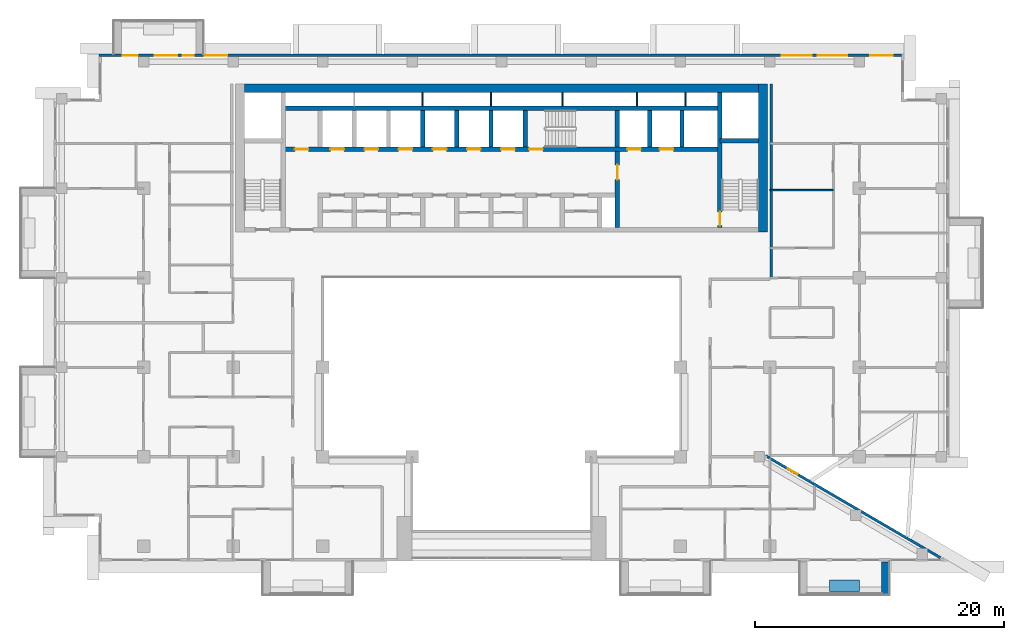
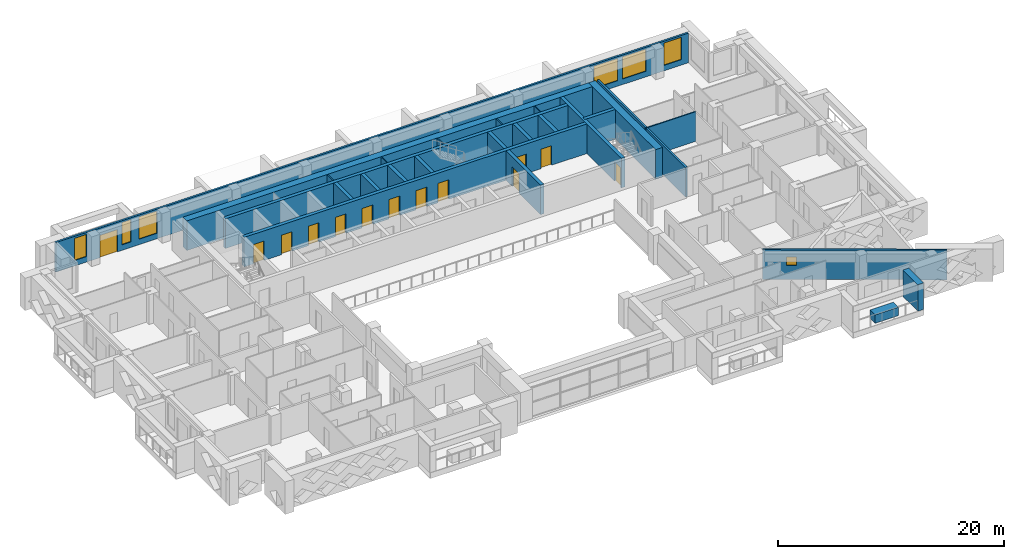
# One storey, part 11 of 20: 25 walls, 13 doors, 7 windows, 20 openings.
"""IFC4 building model written with IfcOpenShell, lengths in metres."""

from ifc_helpers import new_model, si_unit, direction, frame, frame_2d, origin, place, context, subcontext, project, spatial, rectangle, extrude, material, layer, layer_set, type_object, element, fill, save


model = new_model("IFC4")

# Units and contexts
model_context = context("Model", 3, precision=1e-05, world=origin(), true_north=direction((0.0, 1.0)))
body_context = subcontext(model_context, "Body", "Model", "MODEL_VIEW")
ifc_project = project(units=[si_unit("LENGTHUNIT", "METRE"), si_unit("AREAUNIT", "SQUARE_METRE"), si_unit("VOLUMEUNIT", "CUBIC_METRE"), si_unit("PLANEANGLEUNIT", "RADIAN"), si_unit("MASSUNIT", "GRAM", prefix="KILO")], contexts=[model_context])

# Site, building, storey
site_placement = place(None, origin())
site = spatial("IfcSite", under=ifc_project, at=site_placement, CompositionType="ELEMENT")
building_placement = place(site_placement, origin())
building = spatial("IfcBuilding", under=site, at=building_placement, Name="Saffron Iwan Residences", CompositionType="ELEMENT")
storey_placement = place(building_placement, frame((0.0, 0.0, 153.5)))
storey = spatial("IfcBuildingStorey", under=building, at=storey_placement, Name="L40", CompositionType="ELEMENT", Elevation=153.5)

# Walls
ifc_material_1 = material(Name="Concrete C50/60 white painted", Category="concrete")
ifc_layer_1 = layer(ifc_material_1, 0.60009765625)
ifc_layer_set_1 = layer_set([ifc_layer_1], Name="Concrete C50/60 white painted")
wall_type_1 = type_object("IfcWallType", Name="BALCONY FIN 600", PredefinedType="SOLIDWALL", material=ifc_layer_set_1)
wall_1_placement = place(storey_placement, frame((81.300048828125, 39.550048828125, 0.0), z_axis=(0.0, 0.0, 1.0), x_axis=(0.0, -1.0, 0.0)))
element("IfcWall", 1, at=wall_1_placement, inside=storey, type_object=wall_type_1, Name="Balcony fin L40 11-2b", PredefinedType="SOLIDWALL", context=body_context, shape_type="SweptSolid", body=[
    extrude(rectangle(XDim=2.650146484375, YDim=0.60009765625, at=frame_2d((1.3251953125, 0.0))), origin(), (0.0, 0.0, 1.0), 2.85009765625),
])
ifc_material_2 = material(Name="Concrete C35/45 white painted", Category="concrete")
ifc_layer_2 = layer(ifc_material_2, 0.14990234375)
ifc_layer_set_2 = layer_set([ifc_layer_2], Name="Concrete C35/45 white painted")
wall_type_2 = type_object("IfcWallType", Name="BALCONY PLANTER", PredefinedType="SOLIDWALL", material=ifc_layer_set_2)
wall_2_placement = place(storey_placement, frame((76.800048828125, 37.625, 0.0), z_axis=(0.0, 0.0, 1.0), x_axis=(1.0, 0.0, 0.0)))
element("IfcWall", 2, at=wall_2_placement, inside=storey, type_object=wall_type_2, Name="PLANTER L40 11-2", PredefinedType="SOLIDWALL", context=body_context, shape_type="SweptSolid", body=[
    extrude(rectangle(XDim=2.39990234375, YDim=0.89990234375, at=frame_2d((1.199951171875, 0.0))), origin(), (0.0, 0.0, 1.0), 0.89990234375),
])

# Wall, opening, window
ifc_material_3 = material(Name="Concrete C40/50", Category="concrete")
ifc_layer_3 = layer(ifc_material_3, 0.199951171875)
ifc_layer_set_3 = layer_set([ifc_layer_3], Name="Concrete C40/50")
wall_type_3 = type_object("IfcWallType", Name="EXTERNAL WALL 200", PredefinedType="SOLIDWALL", material=ifc_layer_set_3)
wall_3_placement = place(storey_placement, frame((85.71923828125, 39.88134765625, 0.0), z_axis=(0.0, 0.0, 1.0), x_axis=(-0.86377618652, 0.503875678716, 0.0)))
wall_3 = element("IfcWall", 3, at=wall_3_placement, inside=storey, type_object=wall_type_3, Name="External wall L40 F0.0", PredefinedType="SOLIDWALL", context=body_context, shape_type="SweptSolid", body=[
    extrude(rectangle(XDim=16.31103515625, YDim=0.199951171875, at=frame_2d((8.155517578125, 0.0))), origin(), (0.0, 0.0, 1.0), 3.199951171875),
])
opening_1_placement = place(wall_3_placement, frame((13.32568359375, 0.0, 1.5)))
opening_1 = element("IfcOpeningElement", 4, at=opening_1_placement, cuts=wall_3, Name="Opening W6", PredefinedType="OPENING", context=body_context, shape_type="SweptSolid", body=[
    extrude(rectangle(XDim=0.89990234375, YDim=0.89990234375, at=frame_2d((0.449951171875, 0.449951171875))), frame((0.0, 0.10986328125, 0.0), z_axis=(0.0, -1.0, 0.0), x_axis=(1.0, 0.0, 0.0)), (0.0, 0.0, 1.0), 0.219970703125),
])
ifc_material_4 = material(Name="Clear glass, laminated double glazed", Category="glass")
window_type_1 = type_object("IfcWindowType", Name="WINDOW 900 x 900 BATH", PartitioningType="SINGLE_PANEL", PredefinedType="WINDOW", material=ifc_material_4)
window_1_placement = place(opening_1_placement, origin())
window_1 = element("IfcWindow", 5, at=window_1_placement, inside=storey, type_object=window_type_1, Name="Window L40 F0.0", OverallHeight=0.89990234375, OverallWidth=0.89990234375, PartitioningType="SINGLE_PANEL", PredefinedType="WINDOW", context=body_context, shape_type="SweptSolid", body=[
    extrude(rectangle(XDim=0.89990234375, YDim=0.89990234375, at=frame_2d((0.449951171875, 0.449951171875))), frame((0.0, 0.030029296875, 0.0), z_axis=(0.0, -1.0, 0.0), x_axis=(1.0, 0.0, 0.0)), (0.0, 0.0, 1.0), 0.06005859375),
])
fill(opening_1, window_1)

# Wall, openings, door, windows
wall_4_placement = place(storey_placement, frame((82.60009765625, 80.300048828125, 0.0), z_axis=(0.0, 0.0, 1.0), x_axis=(-1.0, 0.0, 0.0)))
wall_4 = element("IfcWall", 6, at=wall_4_placement, inside=storey, type_object=wall_type_3, Name="External wall L40 F5.0", PredefinedType="SOLIDWALL", context=body_context, shape_type="SweptSolid", body=[
    extrude(rectangle(XDim=64.60009765625, YDim=0.199951171875, at=frame_2d((32.300048828125, 0.0))), origin(), (0.0, 0.0, 1.0), 3.199951171875),
])
opening_2_placement = place(wall_4_placement, frame((58.300048828125, 0.0, 0.0)))
opening_2 = element("IfcOpeningElement", 7, at=opening_2_placement, cuts=wall_4, Name="Opening BD1", PredefinedType="OPENING", context=body_context, shape_type="SweptSolid", body=[
    extrude(rectangle(XDim=1.800048828125, YDim=2.39990234375, at=frame_2d((0.89990234375, 1.199951171875))), frame((0.0, 0.10986328125, 0.0), z_axis=(0.0, -1.0, 0.0), x_axis=(1.0, 0.0, 0.0)), (0.0, 0.0, 1.0), 0.219970703125),
])
opening_3_placement = place(wall_4_placement, frame((54.28759765625, 0.0, 0.60009765625)))
opening_3 = element("IfcOpeningElement", 8, at=opening_3_placement, cuts=wall_4, Name="Opening W8", PredefinedType="OPENING", context=body_context, shape_type="SweptSolid", body=[
    extrude(rectangle(XDim=1.800048828125, YDim=2.39990234375, at=frame_2d((0.89990234375, 1.199951171875))), frame((0.0, 0.10986328125, 0.0), z_axis=(0.0, -1.0, 0.0), x_axis=(1.0, 0.0, 0.0)), (0.0, 0.0, 1.0), 0.219970703125),
])
opening_4_placement = place(wall_4_placement, frame((56.949951171875, 0.0, 0.60009765625)))
opening_4 = element("IfcOpeningElement", 9, at=opening_4_placement, cuts=wall_4, Name="Opening W10", PredefinedType="OPENING", context=body_context, shape_type="SweptSolid", body=[
    extrude(rectangle(XDim=0.89990234375, YDim=2.39990234375, at=frame_2d((0.449951171875, 1.199951171875))), frame((0.0, 0.10986328125, 0.0), z_axis=(0.0, -1.0, 0.0), x_axis=(1.0, 0.0, 0.0)), (0.0, 0.0, 1.0), 0.219970703125),
])
opening_5_placement = place(wall_4_placement, frame((61.487548828125, 0.0, 0.60009765625)))
opening_5 = element("IfcOpeningElement", 10, at=opening_5_placement, cuts=wall_4, Name="Opening W3", PredefinedType="OPENING", context=body_context, shape_type="SweptSolid", body=[
    extrude(rectangle(XDim=1.199951171875, YDim=2.39990234375, at=frame_2d((0.60009765625, 1.199951171875))), frame((0.0, 0.10986328125, 0.0), z_axis=(0.0, -1.0, 0.0), x_axis=(1.0, 0.0, 0.0)), (0.0, 0.0, 1.0), 0.219970703125),
])
opening_6_placement = place(wall_4_placement, frame((0.71240234375, 0.0, 0.60009765625)))
opening_6 = element("IfcOpeningElement", 11, at=opening_6_placement, cuts=wall_4, Name="Opening W8", PredefinedType="OPENING", context=body_context, shape_type="SweptSolid", body=[
    extrude(rectangle(XDim=1.800048828125, YDim=2.39990234375, at=frame_2d((0.89990234375, 1.199951171875))), frame((0.0, 0.10986328125, 0.0), z_axis=(0.0, -1.0, 0.0), x_axis=(1.0, 0.0, 0.0)), (0.0, 0.0, 1.0), 0.219970703125),
])
opening_7_placement = place(wall_4_placement, frame((4.3583984375, 0.0, 0.60009765625)))
opening_7 = element("IfcOpeningElement", 12, at=opening_7_placement, cuts=wall_4, Name="Opening W1", PredefinedType="OPENING", context=body_context, shape_type="SweptSolid", body=[
    extrude(rectangle(XDim=2.39990234375, YDim=2.39990234375, at=frame_2d((1.199951171875, 1.199951171875))), frame((0.0, 0.10986328125, 0.0), z_axis=(0.0, -1.0, 0.0), x_axis=(1.0, 0.0, 0.0)), (0.0, 0.0, 1.0), 0.219970703125),
])
opening_8_placement = place(wall_4_placement, frame((7.24169921875, 0.0, 0.60009765625)))
opening_8 = element("IfcOpeningElement", 13, at=opening_8_placement, cuts=wall_4, Name="Opening W1", PredefinedType="OPENING", context=body_context, shape_type="SweptSolid", body=[
    extrude(rectangle(XDim=2.39990234375, YDim=2.39990234375, at=frame_2d((1.199951171875, 1.199951171875))), frame((0.0, 0.10986328125, 0.0), z_axis=(0.0, -1.0, 0.0), x_axis=(1.0, 0.0, 0.0)), (0.0, 0.0, 1.0), 0.219970703125),
])
door_type_1 = type_object("IfcDoorType", Name="BALCONY DOOR 1800 x 2400", OperationType="DOUBLE_DOOR_SLIDING", PredefinedType="DOOR", material=ifc_material_4)
door_1_placement = place(opening_2_placement, origin())
door_1 = element("IfcDoor", 14, at=door_1_placement, inside=storey, type_object=door_type_1, Name="Balcony door L40 F5.0", OperationType="DOUBLE_DOOR_SLIDING", OverallHeight=2.39990234375, OverallWidth=1.800048828125, PredefinedType="DOOR", context=body_context, shape_type="SweptSolid", body=[
    extrude(rectangle(XDim=1.800048828125, YDim=2.39990234375, at=frame_2d((0.89990234375, 1.199951171875))), frame((0.0, 0.02490234375, 0.0), z_axis=(0.0, -1.0, 0.0), x_axis=(1.0, 0.0, 0.0)), (0.0, 0.0, 1.0), 0.050048828125),
])
fill(opening_2, door_1)
window_type_2 = type_object("IfcWindowType", Name="WINDOW 1200 x 2400", PartitioningType="SINGLE_PANEL", PredefinedType="WINDOW", material=ifc_material_4)
window_2_placement = place(opening_5_placement, origin())
window_2 = element("IfcWindow", 15, at=window_2_placement, inside=storey, type_object=window_type_2, Name="Window L40 F5.3", OverallHeight=2.39990234375, OverallWidth=1.199951171875, PartitioningType="SINGLE_PANEL", PredefinedType="WINDOW", context=body_context, shape_type="SweptSolid", body=[
    extrude(rectangle(XDim=1.199951171875, YDim=2.39990234375, at=frame_2d((0.60009765625, 1.199951171875))), frame((0.0, 0.030029296875, 0.0), z_axis=(0.0, -1.0, 0.0), x_axis=(1.0, 0.0, 0.0)), (0.0, 0.0, 1.0), 0.06005859375),
])
fill(opening_5, window_2)
window_type_3 = type_object("IfcWindowType", Name="WINDOW 1800 x 2400", PartitioningType="DOUBLE_PANEL_VERTICAL", PredefinedType="WINDOW", material=ifc_material_4)
window_3_placement = place(opening_3_placement, origin())
window_3 = element("IfcWindow", 16, at=window_3_placement, inside=storey, type_object=window_type_3, Name="Window L40 F5.1", OverallHeight=2.39990234375, OverallWidth=1.800048828125, PartitioningType="DOUBLE_PANEL_VERTICAL", PredefinedType="WINDOW", context=body_context, shape_type="SweptSolid", body=[
    extrude(rectangle(XDim=1.800048828125, YDim=2.39990234375, at=frame_2d((0.89990234375, 1.199951171875))), frame((0.0, 0.030029296875, 0.0), z_axis=(0.0, -1.0, 0.0), x_axis=(1.0, 0.0, 0.0)), (0.0, 0.0, 1.0), 0.06005859375),
])
fill(opening_3, window_3)
window_4_placement = place(opening_6_placement, origin())
window_4 = element("IfcWindow", 17, at=window_4_placement, inside=storey, type_object=window_type_3, Name="Window L40 F5.4", OverallHeight=2.39990234375, OverallWidth=1.800048828125, PartitioningType="DOUBLE_PANEL_VERTICAL", PredefinedType="WINDOW", context=body_context, shape_type="SweptSolid", body=[
    extrude(rectangle(XDim=1.800048828125, YDim=2.39990234375, at=frame_2d((0.89990234375, 1.199951171875))), frame((0.0, 0.030029296875, 0.0), z_axis=(0.0, -1.0, 0.0), x_axis=(1.0, 0.0, 0.0)), (0.0, 0.0, 1.0), 0.06005859375),
])
fill(opening_6, window_4)
window_type_4 = type_object("IfcWindowType", Name="WINDOW 2400 x 2400", PartitioningType="DOUBLE_PANEL_VERTICAL", PredefinedType="WINDOW", material=ifc_material_4)
window_5_placement = place(opening_7_placement, origin())
window_5 = element("IfcWindow", 18, at=window_5_placement, inside=storey, type_object=window_type_4, Name="Window L40 F5.5", OverallHeight=2.39990234375, OverallWidth=2.39990234375, PartitioningType="DOUBLE_PANEL_VERTICAL", PredefinedType="WINDOW", context=body_context, shape_type="SweptSolid", body=[
    extrude(rectangle(XDim=2.39990234375, YDim=2.39990234375, at=frame_2d((1.199951171875, 1.199951171875))), frame((0.0, 0.030029296875, 0.0), z_axis=(0.0, -1.0, 0.0), x_axis=(1.0, 0.0, 0.0)), (0.0, 0.0, 1.0), 0.06005859375),
])
fill(opening_7, window_5)
window_6_placement = place(opening_8_placement, origin())
window_6 = element("IfcWindow", 19, at=window_6_placement, inside=storey, type_object=window_type_4, Name="Window L40 F5.6", OverallHeight=2.39990234375, OverallWidth=2.39990234375, PartitioningType="DOUBLE_PANEL_VERTICAL", PredefinedType="WINDOW", context=body_context, shape_type="SweptSolid", body=[
    extrude(rectangle(XDim=2.39990234375, YDim=2.39990234375, at=frame_2d((1.199951171875, 1.199951171875))), frame((0.0, 0.030029296875, 0.0), z_axis=(0.0, -1.0, 0.0), x_axis=(1.0, 0.0, 0.0)), (0.0, 0.0, 1.0), 0.06005859375),
])
fill(opening_8, window_6)
window_type_5 = type_object("IfcWindowType", Name="WINDOW 900 x 2400", PartitioningType="SINGLE_PANEL", PredefinedType="WINDOW", material=ifc_material_4)
window_7_placement = place(opening_4_placement, origin())
window_7 = element("IfcWindow", 20, at=window_7_placement, inside=storey, type_object=window_type_5, Name="Window L40 F5.2", OverallHeight=2.39990234375, OverallWidth=0.89990234375, PartitioningType="SINGLE_PANEL", PredefinedType="WINDOW", context=body_context, shape_type="SweptSolid", body=[
    extrude(rectangle(XDim=0.89990234375, YDim=2.39990234375, at=frame_2d((0.449951171875, 1.199951171875))), frame((0.0, 0.030029296875, 0.0), z_axis=(0.0, -1.0, 0.0), x_axis=(1.0, 0.0, 0.0)), (0.0, 0.0, 1.0), 0.06005859375),
])
fill(opening_4, window_7)

# Walls
ifc_material_5 = material(Name="Gypsum board partition")
ifc_layer_4 = layer(ifc_material_5, 0.1201171875)
ifc_layer_set_4 = layer_set([ifc_layer_4], Name="Gypsum board partition")
wall_type_4 = type_object("IfcWallType", Name="Flat partition 120", PredefinedType="PARTITIONING", material=ifc_layer_set_4)
wall_5_placement = place(storey_placement, frame((72.0, 69.449951171875, 0.0), z_axis=(0.0, 0.0, 1.0), x_axis=(1.0, 0.0, 0.0)))
element("IfcWall", 21, at=wall_5_placement, inside=storey, type_object=wall_type_4, Name="W-L40-PART-h69.45-72", PredefinedType="PARTITIONING", context=body_context, shape_type="SweptSolid", body=[
    extrude(rectangle(XDim=5.10009765625, YDim=0.1201171875, at=frame_2d((2.550048828125, 0.0))), origin(), (0.0, 0.0, 1.0), 3.199951171875),
])
ifc_material_6 = material(Name="Fire-rated gypsum board wall")
ifc_layer_5 = layer(ifc_material_6, 0.199951171875)
ifc_layer_set_5 = layer_set([ifc_layer_5], Name="Fire-rated gypsum board wall")
wall_type_5 = type_object("IfcWallType", Name="Gallery wall 200", PredefinedType="SOLIDWALL", material=ifc_layer_set_5)
wall_6_placement = place(storey_placement, frame((72.10009765625, 62.39990234375, 0.0), z_axis=(0.0, 0.0, 1.0), x_axis=(0.0, 1.0, 0.0)))
element("IfcWall", 22, at=wall_6_placement, inside=storey, type_object=wall_type_5, Name="W-L40-CORR-v72-62.4", PredefinedType="SOLIDWALL", context=body_context, shape_type="SweptSolid", body=[
    extrude(rectangle(XDim=15.60009765625, YDim=0.199951171875, at=frame_2d((7.800048828125, 0.0))), origin(), (0.0, 0.0, 1.0), 3.199951171875),
])
ifc_material_7 = material(Name="Fire-rated plasterboard partition")
ifc_layer_6 = layer(ifc_material_7, 0.10009765625)
ifc_layer_set_6 = layer_set([ifc_layer_6], Name="Fire-rated plasterboard partition")
wall_type_6 = type_object("IfcWallType", Name="Riser partition 100", PredefinedType="PARTITIONING", material=ifc_layer_set_6)
for number, where, z_axis, x_axis, name in (
    (23, (44.050048828125, 76.22509765625, 0.0), (0.0, 0.0, 1.0), (0.0, 1.0, 0.0), "Core partition P08"),
    (24, (49.550048828125, 76.22509765625, 0.0), (0.0, 0.0, 1.0), (0.0, 1.0, 0.0), "Core partition P09"),
    (25, (55.300048828125, 76.22509765625, 0.0), (0.0, 0.0, 1.0), (0.0, 1.0, 0.0), "Core partition P10"),
    (26, (61.300048828125, 76.22509765625, 0.0), (0.0, 0.0, 1.0), (0.0, 1.0, 0.0), "Core partition P11"),
    (27, (65.199951171875, 76.22509765625, 0.0), (0.0, 0.0, 1.0), (0.0, 1.0, 0.0), "Core partition P12"),
):
    element("IfcWall", number, at=place(storey_placement, frame(where, z_axis=z_axis, x_axis=x_axis)), inside=storey, type_object=wall_type_6, Name=name, PredefinedType="PARTITIONING", context=body_context, shape_type="SweptSolid", body=[
        extrude(rectangle(XDim=1.074951171875, YDim=0.10009765625, at=frame_2d((0.53759765625, 0.0))), origin(), (0.0, 0.0, 1.0), 3.199951171875),
    ])

# Wall, openings, doors
ifc_material_8 = material(Name="Concrete C50/60", Category="concrete")
ifc_layer_7 = layer(ifc_material_8, 0.35009765625)
ifc_layer_set_7 = layer_set([ifc_layer_7], Name="Concrete C50/60")
wall_type_7 = type_object("IfcWallType", Name="WALL CORE 350 C50/60 3200 HIGH", PredefinedType="SHEAR", material=ifc_layer_set_7)
wall_7_placement = place(storey_placement, frame((32.824951171875, 72.75, 0.0), z_axis=(0.0, 0.0, 1.0), x_axis=(1.0, 0.0, 0.0)))
wall_7 = element("IfcWall", 28, at=wall_7_placement, inside=storey, type_object=wall_type_7, Name="Core wall", PredefinedType="SHEAR", context=body_context, shape_type="SweptSolid", body=[
    extrude(rectangle(XDim=35.150146484375, YDim=0.35009765625, at=frame_2d((17.5751953125, 0.0))), origin(), (0.0, 0.0, 1.0), 3.199951171875),
])
opening_9_placement = place(wall_7_placement, frame((19.800048828125, 0.0, 0.0)))
opening_9 = element("IfcOpeningElement", 29, at=opening_9_placement, cuts=wall_7, Name="Opening SD", PredefinedType="OPENING", context=body_context, shape_type="SweptSolid", body=[
    extrude(rectangle(XDim=1.10009765625, YDim=2.10009765625, at=frame_2d((0.550048828125, 1.050048828125))), frame((0.0, 0.18505859375, 0.0), z_axis=(0.0, -1.0, 0.0), x_axis=(1.0, 0.0, 0.0)), (0.0, 0.0, 1.0), 0.3701171875),
])
opening_10_placement = place(wall_7_placement, frame((27.699951171875, 0.0, 0.0)))
opening_10 = element("IfcOpeningElement", 30, at=opening_10_placement, cuts=wall_7, Name="Opening LD", PredefinedType="OPENING", context=body_context, shape_type="SweptSolid", body=[
    extrude(rectangle(XDim=1.10009765625, YDim=2.10009765625, at=frame_2d((0.550048828125, 1.050048828125))), frame((0.0, 0.18505859375, 0.0), z_axis=(0.0, -1.0, 0.0), x_axis=(1.0, 0.0, 0.0)), (0.0, 0.0, 1.0), 0.3701171875),
])
opening_11_placement = place(wall_7_placement, frame((30.300048828125, 0.0, 0.0)))
opening_11 = element("IfcOpeningElement", 31, at=opening_11_placement, cuts=wall_7, Name="Opening LD", PredefinedType="OPENING", context=body_context, shape_type="SweptSolid", body=[
    extrude(rectangle(XDim=1.10009765625, YDim=2.10009765625, at=frame_2d((0.550048828125, 1.050048828125))), frame((0.0, 0.18505859375, 0.0), z_axis=(0.0, -1.0, 0.0), x_axis=(1.0, 0.0, 0.0)), (0.0, 0.0, 1.0), 0.3701171875),
])
opening_12_placement = place(wall_7_placement, frame((3.800048828125, 0.0, 0.0)))
opening_12 = element("IfcOpeningElement", 32, at=opening_12_placement, cuts=wall_7, Name="Opening LD", PredefinedType="OPENING", context=body_context, shape_type="SweptSolid", body=[
    extrude(rectangle(XDim=1.10009765625, YDim=2.10009765625, at=frame_2d((0.550048828125, 1.050048828125))), frame((0.0, 0.18505859375, 0.0), z_axis=(0.0, -1.0, 0.0), x_axis=(1.0, 0.0, 0.0)), (0.0, 0.0, 1.0), 0.3701171875),
])
opening_13_placement = place(wall_7_placement, frame((6.550048828125, 0.0, 0.0)))
opening_13 = element("IfcOpeningElement", 33, at=opening_13_placement, cuts=wall_7, Name="Opening LD", PredefinedType="OPENING", context=body_context, shape_type="SweptSolid", body=[
    extrude(rectangle(XDim=1.10009765625, YDim=2.10009765625, at=frame_2d((0.550048828125, 1.050048828125))), frame((0.0, 0.18505859375, 0.0), z_axis=(0.0, -1.0, 0.0), x_axis=(1.0, 0.0, 0.0)), (0.0, 0.0, 1.0), 0.3701171875),
])
opening_14_placement = place(wall_7_placement, frame((9.300048828125, 0.0, 0.0)))
opening_14 = element("IfcOpeningElement", 34, at=opening_14_placement, cuts=wall_7, Name="Opening LD", PredefinedType="OPENING", context=body_context, shape_type="SweptSolid", body=[
    extrude(rectangle(XDim=1.10009765625, YDim=2.10009765625, at=frame_2d((0.550048828125, 1.050048828125))), frame((0.0, 0.18505859375, 0.0), z_axis=(0.0, -1.0, 0.0), x_axis=(1.0, 0.0, 0.0)), (0.0, 0.0, 1.0), 0.3701171875),
])
opening_15_placement = place(wall_7_placement, frame((12.050048828125, 0.0, 0.0)))
opening_15 = element("IfcOpeningElement", 35, at=opening_15_placement, cuts=wall_7, Name="Opening LD", PredefinedType="OPENING", context=body_context, shape_type="SweptSolid", body=[
    extrude(rectangle(XDim=1.10009765625, YDim=2.10009765625, at=frame_2d((0.550048828125, 1.050048828125))), frame((0.0, 0.18505859375, 0.0), z_axis=(0.0, -1.0, 0.0), x_axis=(1.0, 0.0, 0.0)), (0.0, 0.0, 1.0), 0.3701171875),
])
opening_16_placement = place(wall_7_placement, frame((14.800048828125, 0.0, 0.0)))
opening_16 = element("IfcOpeningElement", 36, at=opening_16_placement, cuts=wall_7, Name="Opening LD", PredefinedType="OPENING", context=body_context, shape_type="SweptSolid", body=[
    extrude(rectangle(XDim=1.10009765625, YDim=2.10009765625, at=frame_2d((0.550048828125, 1.050048828125))), frame((0.0, 0.18505859375, 0.0), z_axis=(0.0, -1.0, 0.0), x_axis=(1.0, 0.0, 0.0)), (0.0, 0.0, 1.0), 0.3701171875),
])
opening_17_placement = place(wall_7_placement, frame((17.550048828125, 0.0, 0.0)))
opening_17 = element("IfcOpeningElement", 37, at=opening_17_placement, cuts=wall_7, Name="Opening LD", PredefinedType="OPENING", context=body_context, shape_type="SweptSolid", body=[
    extrude(rectangle(XDim=1.10009765625, YDim=2.10009765625, at=frame_2d((0.550048828125, 1.050048828125))), frame((0.0, 0.18505859375, 0.0), z_axis=(0.0, -1.0, 0.0), x_axis=(1.0, 0.0, 0.0)), (0.0, 0.0, 1.0), 0.3701171875),
])
opening_18_placement = place(wall_7_placement, frame((0.9375, 0.0, 0.0)))
opening_18 = element("IfcOpeningElement", 38, at=opening_18_placement, cuts=wall_7, Name="Opening SR", PredefinedType="OPENING", context=body_context, shape_type="SweptSolid", body=[
    extrude(rectangle(XDim=1.10009765625, YDim=2.10009765625, at=frame_2d((0.550048828125, 1.050048828125))), frame((0.0, 0.18505859375, 0.0), z_axis=(0.0, -1.0, 0.0), x_axis=(1.0, 0.0, 0.0)), (0.0, 0.0, 1.0), 0.3701171875),
])
ifc_material_9 = material(Name="Steel fire door", Category="steel")
door_type_2 = type_object("IfcDoorType", Name="Lift landing door 1100", OperationType="SLIDING_TO_LEFT", PredefinedType="DOOR", material=ifc_material_9)
door_2_placement = place(opening_10_placement, origin())
door_2 = element("IfcDoor", 39, at=door_2_placement, inside=storey, type_object=door_type_2, Name="Landing doors FF1", OperationType="SLIDING_TO_LEFT", OverallHeight=2.10009765625, OverallWidth=1.10009765625, PredefinedType="DOOR", context=body_context, shape_type="SweptSolid", body=[
    extrude(rectangle(XDim=1.10009765625, YDim=2.10009765625, at=frame_2d((0.550048828125, 1.050048828125))), frame((0.0, 0.02490234375, 0.0), z_axis=(0.0, -1.0, 0.0), x_axis=(1.0, 0.0, 0.0)), (0.0, 0.0, 1.0), 0.050048828125),
])
fill(opening_10, door_2)
door_3_placement = place(opening_11_placement, origin())
door_3 = element("IfcDoor", 40, at=door_3_placement, inside=storey, type_object=door_type_2, Name="Landing doors FF2", OperationType="SLIDING_TO_LEFT", OverallHeight=2.10009765625, OverallWidth=1.10009765625, PredefinedType="DOOR", context=body_context, shape_type="SweptSolid", body=[
    extrude(rectangle(XDim=1.10009765625, YDim=2.10009765625, at=frame_2d((0.550048828125, 1.050048828125))), frame((0.0, 0.02490234375, 0.0), z_axis=(0.0, -1.0, 0.0), x_axis=(1.0, 0.0, 0.0)), (0.0, 0.0, 1.0), 0.050048828125),
])
fill(opening_11, door_3)
door_4_placement = place(opening_12_placement, origin())
door_4 = element("IfcDoor", 41, at=door_4_placement, inside=storey, type_object=door_type_2, Name="Landing doors HR1", OperationType="SLIDING_TO_LEFT", OverallHeight=2.10009765625, OverallWidth=1.10009765625, PredefinedType="DOOR", context=body_context, shape_type="SweptSolid", body=[
    extrude(rectangle(XDim=1.10009765625, YDim=2.10009765625, at=frame_2d((0.550048828125, 1.050048828125))), frame((0.0, 0.02490234375, 0.0), z_axis=(0.0, -1.0, 0.0), x_axis=(1.0, 0.0, 0.0)), (0.0, 0.0, 1.0), 0.050048828125),
])
fill(opening_12, door_4)
door_5_placement = place(opening_13_placement, origin())
door_5 = element("IfcDoor", 42, at=door_5_placement, inside=storey, type_object=door_type_2, Name="Landing doors HR2", OperationType="SLIDING_TO_LEFT", OverallHeight=2.10009765625, OverallWidth=1.10009765625, PredefinedType="DOOR", context=body_context, shape_type="SweptSolid", body=[
    extrude(rectangle(XDim=1.10009765625, YDim=2.10009765625, at=frame_2d((0.550048828125, 1.050048828125))), frame((0.0, 0.02490234375, 0.0), z_axis=(0.0, -1.0, 0.0), x_axis=(1.0, 0.0, 0.0)), (0.0, 0.0, 1.0), 0.050048828125),
])
fill(opening_13, door_5)
door_6_placement = place(opening_14_placement, origin())
door_6 = element("IfcDoor", 43, at=door_6_placement, inside=storey, type_object=door_type_2, Name="Landing doors HR3", OperationType="SLIDING_TO_LEFT", OverallHeight=2.10009765625, OverallWidth=1.10009765625, PredefinedType="DOOR", context=body_context, shape_type="SweptSolid", body=[
    extrude(rectangle(XDim=1.10009765625, YDim=2.10009765625, at=frame_2d((0.550048828125, 1.050048828125))), frame((0.0, 0.02490234375, 0.0), z_axis=(0.0, -1.0, 0.0), x_axis=(1.0, 0.0, 0.0)), (0.0, 0.0, 1.0), 0.050048828125),
])
fill(opening_14, door_6)
door_7_placement = place(opening_15_placement, origin())
door_7 = element("IfcDoor", 44, at=door_7_placement, inside=storey, type_object=door_type_2, Name="Landing doors HR4", OperationType="SLIDING_TO_LEFT", OverallHeight=2.10009765625, OverallWidth=1.10009765625, PredefinedType="DOOR", context=body_context, shape_type="SweptSolid", body=[
    extrude(rectangle(XDim=1.10009765625, YDim=2.10009765625, at=frame_2d((0.550048828125, 1.050048828125))), frame((0.0, 0.02490234375, 0.0), z_axis=(0.0, -1.0, 0.0), x_axis=(1.0, 0.0, 0.0)), (0.0, 0.0, 1.0), 0.050048828125),
])
fill(opening_15, door_7)
door_8_placement = place(opening_16_placement, origin())
door_8 = element("IfcDoor", 45, at=door_8_placement, inside=storey, type_object=door_type_2, Name="Landing doors HR5", OperationType="SLIDING_TO_LEFT", OverallHeight=2.10009765625, OverallWidth=1.10009765625, PredefinedType="DOOR", context=body_context, shape_type="SweptSolid", body=[
    extrude(rectangle(XDim=1.10009765625, YDim=2.10009765625, at=frame_2d((0.550048828125, 1.050048828125))), frame((0.0, 0.02490234375, 0.0), z_axis=(0.0, -1.0, 0.0), x_axis=(1.0, 0.0, 0.0)), (0.0, 0.0, 1.0), 0.050048828125),
])
fill(opening_16, door_8)
door_9_placement = place(opening_17_placement, origin())
door_9 = element("IfcDoor", 46, at=door_9_placement, inside=storey, type_object=door_type_2, Name="Landing doors HR6", OperationType="SLIDING_TO_LEFT", OverallHeight=2.10009765625, OverallWidth=1.10009765625, PredefinedType="DOOR", context=body_context, shape_type="SweptSolid", body=[
    extrude(rectangle(XDim=1.10009765625, YDim=2.10009765625, at=frame_2d((0.550048828125, 1.050048828125))), frame((0.0, 0.02490234375, 0.0), z_axis=(0.0, -1.0, 0.0), x_axis=(1.0, 0.0, 0.0)), (0.0, 0.0, 1.0), 0.050048828125),
])
fill(opening_17, door_9)
door_type_3 = type_object("IfcDoorType", Name="Service door 1100", OperationType="NOTDEFINED", PredefinedType="DOOR", material=ifc_material_9)
door_10_placement = place(opening_18_placement, origin())
door_10 = element("IfcDoor", 47, at=door_10_placement, inside=storey, type_object=door_type_3, Name="Door Service room", OperationType="SINGLE_SWING_LEFT", OverallHeight=2.10009765625, OverallWidth=1.10009765625, PredefinedType="DOOR", context=body_context, shape_type="SweptSolid", body=[
    extrude(rectangle(XDim=1.10009765625, YDim=2.10009765625, at=frame_2d((0.550048828125, 1.050048828125))), frame((0.0, 0.02490234375, 0.0), z_axis=(0.0, -1.0, 0.0), x_axis=(1.0, 0.0, 0.0)), (0.0, 0.0, 1.0), 0.050048828125),
])
fill(opening_18, door_10)
door_type_4 = type_object("IfcDoorType", Name="Stair door 1100", OperationType="NOTDEFINED", PredefinedType="DOOR", material=ifc_material_9)
door_11_placement = place(opening_9_placement, origin())
door_11 = element("IfcDoor", 48, at=door_11_placement, inside=storey, type_object=door_type_4, Name="Stair door ST-C", OperationType="SINGLE_SWING_LEFT", OverallHeight=2.10009765625, OverallWidth=1.10009765625, PredefinedType="DOOR", context=body_context, shape_type="SweptSolid", body=[
    extrude(rectangle(XDim=1.10009765625, YDim=2.10009765625, at=frame_2d((0.550048828125, 1.050048828125))), frame((0.0, 0.02490234375, 0.0), z_axis=(0.0, -1.0, 0.0), x_axis=(1.0, 0.0, 0.0)), (0.0, 0.0, 1.0), 0.050048828125),
])
fill(opening_9, door_11)

# Walls
wall_8_placement = place(storey_placement, frame((32.824951171875, 76.050048828125, 0.0), z_axis=(0.0, 0.0, 1.0), x_axis=(1.0, 0.0, 0.0)))
element("IfcWall", 49, at=wall_8_placement, inside=storey, type_object=wall_type_7, Name="Core wall", PredefinedType="SHEAR", context=body_context, shape_type="SweptSolid", body=[
    extrude(rectangle(XDim=35.150146484375, YDim=0.35009765625, at=frame_2d((17.5751953125, 0.0))), origin(), (0.0, 0.0, 1.0), 3.199951171875),
])
wall_9_placement = place(storey_placement, frame((67.97509765625, 73.425048828125, 0.0), z_axis=(0.0, 0.0, 1.0), x_axis=(1.0, 0.0, 0.0)))
element("IfcWall", 50, at=wall_9_placement, inside=storey, type_object=wall_type_7, Name="Core wall", PredefinedType="SHEAR", context=body_context, shape_type="SweptSolid", body=[
    extrude(rectangle(XDim=3.125, YDim=0.35009765625, at=frame_2d((1.5625, 0.0))), origin(), (0.0, 0.0, 1.0), 3.199951171875),
])

# Wall, opening, door
wall_10_placement = place(storey_placement, frame((67.97509765625, 66.449951171875, 0.0), z_axis=(0.0, 0.0, 1.0), x_axis=(0.0, 1.0, 0.0)))
wall_10 = element("IfcWall", 51, at=wall_10_placement, inside=storey, type_object=wall_type_7, Name="Core wall", PredefinedType="SHEAR", context=body_context, shape_type="SweptSolid", body=[
    extrude(rectangle(XDim=10.85009765625, YDim=0.35009765625, at=frame_2d((5.425048828125, 0.0))), origin(), (0.0, 0.0, 1.0), 3.199951171875),
])
opening_19_placement = place(wall_10_placement, frame((0.14990234375, 0.0, 0.0)))
opening_19 = element("IfcOpeningElement", 52, at=opening_19_placement, cuts=wall_10, Name="Opening SD", PredefinedType="OPENING", context=body_context, shape_type="SweptSolid", body=[
    extrude(rectangle(XDim=1.10009765625, YDim=2.10009765625, at=frame_2d((0.550048828125, 1.050048828125))), frame((0.0, 0.18505859375, 0.0), z_axis=(0.0, -1.0, 0.0), x_axis=(1.0, 0.0, 0.0)), (0.0, 0.0, 1.0), 0.3701171875),
])
door_12_placement = place(opening_19_placement, origin())
door_12 = element("IfcDoor", 53, at=door_12_placement, inside=storey, type_object=door_type_4, Name="Stair door ST-E", OperationType="SINGLE_SWING_LEFT", OverallHeight=2.10009765625, OverallWidth=1.10009765625, PredefinedType="DOOR", context=body_context, shape_type="SweptSolid", body=[
    extrude(rectangle(XDim=1.10009765625, YDim=2.10009765625, at=frame_2d((0.550048828125, 1.050048828125))), frame((0.0, 0.02490234375, 0.0), z_axis=(0.0, -1.0, 0.0), x_axis=(1.0, 0.0, 0.0)), (0.0, 0.0, 1.0), 0.050048828125),
])
fill(opening_19, door_12)

wall_11_placement = place(storey_placement, frame((59.72509765625, 66.449951171875, 0.0), z_axis=(0.0, 0.0, 1.0), x_axis=(0.0, 1.0, 0.0)))
wall_11 = element("IfcWall", 54, at=wall_11_placement, inside=storey, type_object=wall_type_7, Name="Core wall", PredefinedType="SHEAR", context=body_context, shape_type="SweptSolid", body=[
    extrude(rectangle(XDim=6.125, YDim=0.35009765625, at=frame_2d((3.0625, 0.0))), origin(), (0.0, 0.0, 1.0), 3.199951171875),
])
opening_20_placement = place(wall_11_placement, frame((3.85009765625, 0.0, 0.0)))
opening_20 = element("IfcOpeningElement", 55, at=opening_20_placement, cuts=wall_11, Name="Opening FD", PredefinedType="OPENING", context=body_context, shape_type="SweptSolid", body=[
    extrude(rectangle(XDim=1.199951171875, YDim=2.10009765625, at=frame_2d((0.60009765625, 1.050048828125))), frame((0.0, 0.18505859375, 0.0), z_axis=(0.0, -1.0, 0.0), x_axis=(1.0, 0.0, 0.0)), (0.0, 0.0, 1.0), 0.3701171875),
])
door_type_5 = type_object("IfcDoorType", Name="Firefighting lobby door 1200", OperationType="NOTDEFINED", PredefinedType="DOOR", material=ifc_material_9)
door_13_placement = place(opening_20_placement, origin())
door_13 = element("IfcDoor", 56, at=door_13_placement, inside=storey, type_object=door_type_5, Name="Firefighting lobby door", OperationType="SINGLE_SWING_LEFT", OverallHeight=2.10009765625, OverallWidth=1.199951171875, PredefinedType="DOOR", context=body_context, shape_type="SweptSolid", body=[
    extrude(rectangle(XDim=1.199951171875, YDim=2.10009765625, at=frame_2d((0.60009765625, 1.050048828125))), frame((0.0, 0.02490234375, 0.0), z_axis=(0.0, -1.0, 0.0), x_axis=(1.0, 0.0, 0.0)), (0.0, 0.0, 1.0), 0.050048828125),
])
fill(opening_20, door_13)

# Walls
for number, where, z_axis, x_axis, name in (
    (57, (59.72509765625, 72.925048828125, 0.0), (0.0, 0.0, 1.0), (0.0, 1.0, 0.0), "Core wall"),
    (58, (44.050048828125, 72.925048828125, 0.0), (0.0, 0.0, 1.0), (0.0, 1.0, 0.0), "Core wall"),
    (59, (46.800048828125, 72.925048828125, 0.0), (0.0, 0.0, 1.0), (0.0, 1.0, 0.0), "Core wall"),
    (60, (49.550048828125, 72.925048828125, 0.0), (0.0, 0.0, 1.0), (0.0, 1.0, 0.0), "Core wall"),
    (61, (52.300048828125, 72.925048828125, 0.0), (0.0, 0.0, 1.0), (0.0, 1.0, 0.0), "Core wall"),
    (62, (62.324951171875, 72.925048828125, 0.0), (0.0, 0.0, 1.0), (0.0, 1.0, 0.0), "Core wall"),
    (63, (64.925048828125, 72.925048828125, 0.0), (0.0, 0.0, 1.0), (0.0, 1.0, 0.0), "Core wall"),
):
    element("IfcWall", number, at=place(storey_placement, frame(where, z_axis=z_axis, x_axis=x_axis)), inside=storey, type_object=wall_type_7, Name=name, PredefinedType="SHEAR", context=body_context, shape_type="SweptSolid", body=[
        extrude(rectangle(XDim=2.949951171875, YDim=0.35009765625, at=frame_2d((1.47509765625, 0.0))), origin(), (0.0, 0.0, 1.0), 3.199951171875),
    ])
ifc_layer_8 = layer(ifc_material_8, 0.699951171875)
ifc_layer_set_8 = layer_set([ifc_layer_8], Name="Concrete C50/60")
wall_type_8 = type_object("IfcWallType", Name="WALL CORE 700 C50/60 3200 HIGH", PredefinedType="SHEAR", material=ifc_layer_set_8)
wall_12_placement = place(storey_placement, frame((71.449951171875, 66.10009765625, 0.0), z_axis=(0.0, 0.0, 1.0), x_axis=(0.0, 1.0, 0.0)))
element("IfcWall", 64, at=wall_12_placement, inside=storey, type_object=wall_type_8, Name="Core wall", PredefinedType="SHEAR", context=body_context, shape_type="SweptSolid", body=[
    extrude(rectangle(XDim=11.89990234375, YDim=0.699951171875, at=frame_2d((5.949951171875, 0.0))), origin(), (0.0, 0.0, 1.0), 3.199951171875),
])
wall_13_placement = place(storey_placement, frame((29.699951171875, 77.64990234375, 0.0), z_axis=(0.0, 0.0, 1.0), x_axis=(1.0, 0.0, 0.0)))
element("IfcWall", 65, at=wall_13_placement, inside=storey, type_object=wall_type_8, Name="Core wall", PredefinedType="SHEAR", context=body_context, shape_type="SweptSolid", body=[
    extrude(rectangle(XDim=41.400146484375, YDim=0.699951171875, at=frame_2d((20.7001953125, 0.0))), origin(), (0.0, 0.0, 1.0), 3.199951171875),
])

save(model, "model.ifc")
